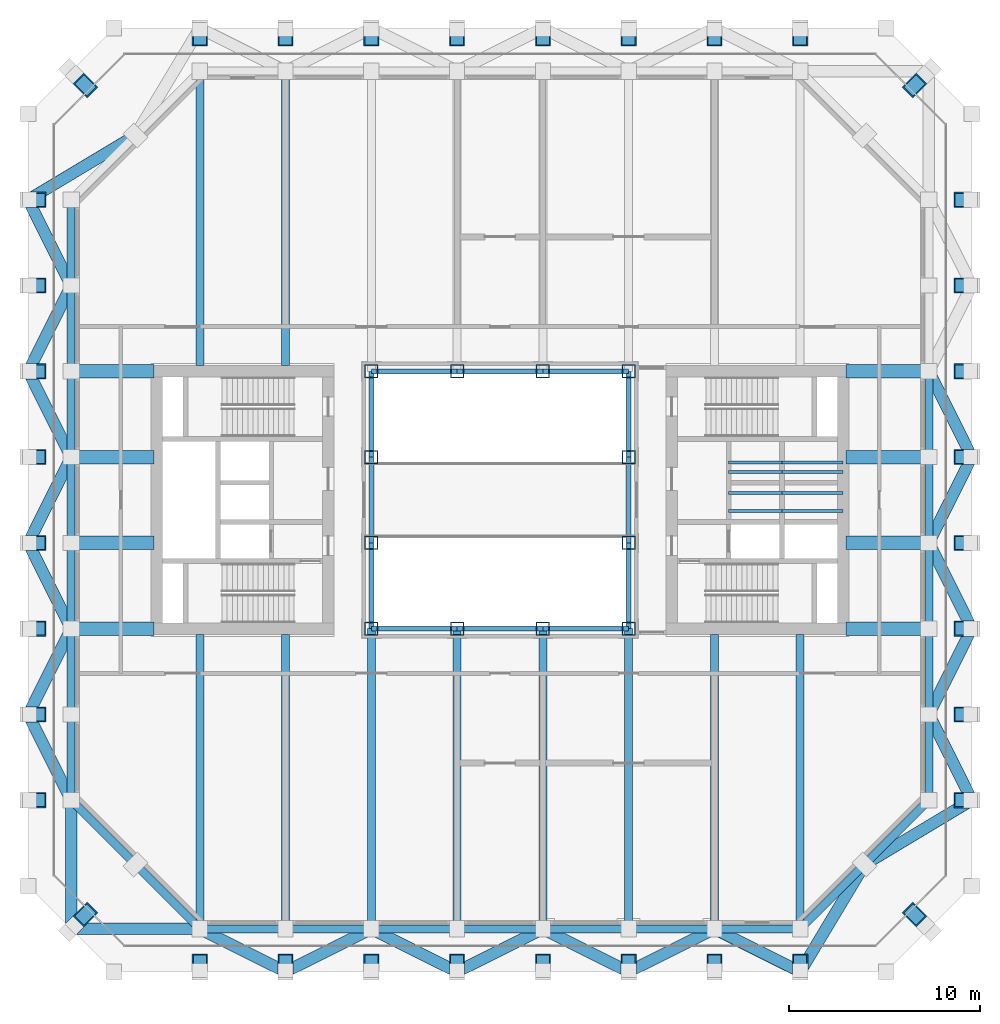
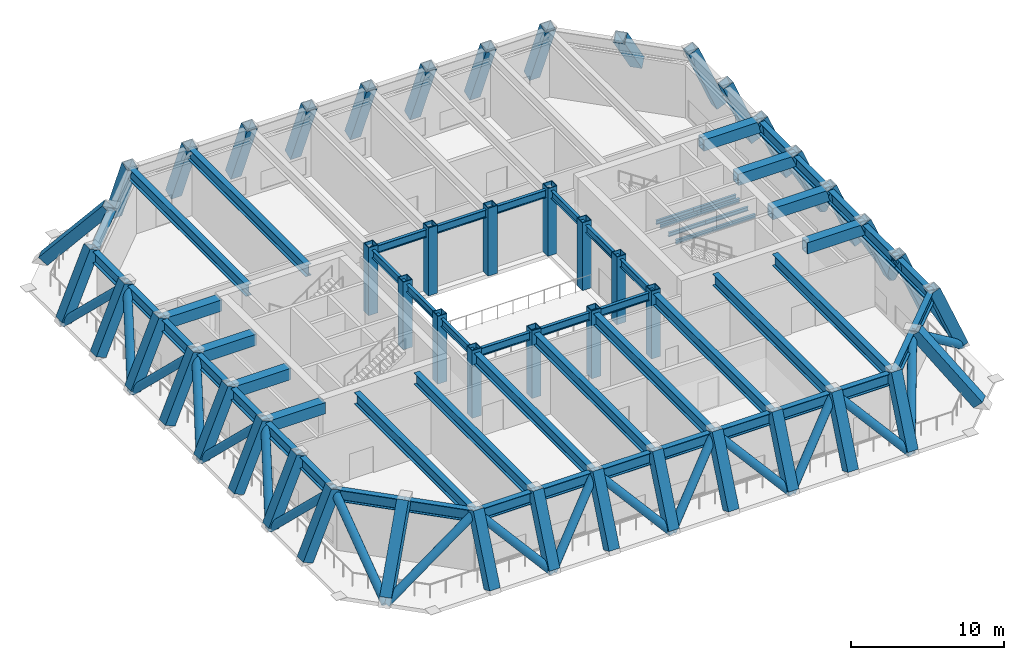
# One storey, part 1 of 9: 61 beams, 48 columns, 24 members.
"""IFC4 building model written with IfcOpenShell, lengths in metres."""

from ifc_helpers import new_model, si_unit, direction, frame, origin, origin_2d, place, context, subcontext, project, spatial, hollow_rectangle, hollow_circle, i_section, extrude, clip, halfspace, material, material_profile, profile_set, type_object, element, save


model = new_model("IFC4")

# Units and contexts
model_context = context("Model", 3, precision=1e-05, world=origin(), true_north=direction((0.0, 1.0)))
body_context = subcontext(model_context, "Body", "Model", "MODEL_VIEW")
ifc_project = project(units=[si_unit("LENGTHUNIT", "METRE"), si_unit("AREAUNIT", "SQUARE_METRE"), si_unit("VOLUMEUNIT", "CUBIC_METRE"), si_unit("PLANEANGLEUNIT", "RADIAN"), si_unit("MASSUNIT", "GRAM", prefix="KILO")], contexts=[model_context])

# Site, building, storey
site_placement = place(None, origin())
site = spatial("IfcSite", under=ifc_project, at=site_placement, CompositionType="ELEMENT")
building_placement = place(site_placement, origin())
building = spatial("IfcBuilding", under=site, at=building_placement, Name="Msasa Ring Tower", CompositionType="ELEMENT")
storey_placement = place(building_placement, frame((0.0, 0.0, 107.0)))
storey = spatial("IfcBuildingStorey", under=building, at=storey_placement, Name="L28", CompositionType="ELEMENT", Elevation=107.0)

# Columns
ifc_material_1 = material(Name="Steel S355", Category="steel")
ifc_material_profile_1 = material_profile(ifc_material_1, hollow_rectangle(XDim=0.699951171875, YDim=0.699951171875, WallThickness=0.050048828125, at=origin_2d()), Name="BOX 700x700x50")
ifc_profile_set_1 = profile_set([ifc_material_profile_1], Name="Steel S355")
column_type_1 = type_object("IfcColumnType", Name="IC3 BOX 700x700x50", PredefinedType="COLUMN", material=ifc_profile_set_1)
for number, where, z_axis, x_axis, name in (
    (1, (-6.75, -6.75, 0.0), (0.0, 0.0, 1.0), (1.0, 0.0, 0.0), "Inner ring column IR-6.75-6.75 L28"),
    (2, (-6.75, -2.25, 0.0), (0.0, 0.0, 1.0), (1.0, 0.0, 0.0), "Inner ring column IR-6.75-2.25 L28"),
    (3, (-6.75, 2.25, 0.0), (0.0, 0.0, 1.0), (1.0, 0.0, 0.0), "Inner ring column IR-6.75+2.25 L28"),
    (4, (-6.75, 6.75, 0.0), (0.0, 0.0, 1.0), (1.0, 0.0, 0.0), "Inner ring column IR-6.75+6.75 L28"),
    (5, (-2.25, -6.75, 0.0), (0.0, 0.0, 1.0), (1.0, 0.0, 0.0), "Inner ring column IR-2.25-6.75 L28"),
    (6, (-2.25, 6.75, 0.0), (0.0, 0.0, 1.0), (1.0, 0.0, 0.0), "Inner ring column IR-2.25+6.75 L28"),
    (7, (2.25, -6.75, 0.0), (0.0, 0.0, 1.0), (1.0, 0.0, 0.0), "Inner ring column IR+2.25-6.75 L28"),
    (8, (2.25, 6.75, 0.0), (0.0, 0.0, 1.0), (1.0, 0.0, 0.0), "Inner ring column IR+2.25+6.75 L28"),
    (9, (6.75, -6.75, 0.0), (0.0, 0.0, 1.0), (1.0, 0.0, 0.0), "Inner ring column IR+6.75-6.75 L28"),
    (10, (6.75, -2.25, 0.0), (0.0, 0.0, 1.0), (1.0, 0.0, 0.0), "Inner ring column IR+6.75-2.25 L28"),
    (11, (6.75, 2.25, 0.0), (0.0, 0.0, 1.0), (1.0, 0.0, 0.0), "Inner ring column IR+6.75+2.25 L28"),
    (12, (6.75, 6.75, 0.0), (0.0, 0.0, 1.0), (1.0, 0.0, 0.0), "Inner ring column IR+6.75+6.75 L28"),
):
    element("IfcColumn", number, at=place(storey_placement, frame(where, z_axis=z_axis, x_axis=x_axis)), inside=storey, type_object=column_type_1, Name=name, PredefinedType="COLUMN", context=body_context, shape_type="SweptSolid", body=[
        extrude(hollow_rectangle(XDim=0.699951171875, YDim=0.699951171875, WallThickness=0.050048828125, at=origin_2d()), origin(), (0.0, 0.0, 1.0), 5.39990234375),
    ])
ifc_material_2 = material(Name="Steel S355", Category="steel")
ifc_material_profile_2 = material_profile(ifc_material_2, hollow_rectangle(XDim=0.800048828125, YDim=0.800048828125, WallThickness=0.06005859375, at=origin_2d()), Name="BOX 800x800x60")
ifc_profile_set_2 = profile_set([ifc_material_profile_2], Name="Steel S355")
column_type_2 = type_object("IfcColumnType", Name="RC1 BOX 800x800x60", PredefinedType="USERDEFINED", material=ifc_profile_set_2)
for number, where, z_axis, x_axis, name in (
    (13, (-15.75, -24.75, 0.0), (0.0, 0.384621311341, 0.923074453586), (0.0, -0.92309001601, 0.384583960069), "Raked tube column S-15.75 L28"),
    (14, (-15.75, 24.75, 0.0), (0.0, -0.384621311341, 0.923074453586), (0.0, 0.92309001601, 0.384583960069), "Raked tube column N-15.75 L28"),
    (15, (24.75, -15.75, 0.0), (-0.384621311341, 0.0, 0.923074453586), (0.0, -1.0, 0.0), "Raked tube column E-15.75 L28"),
    (16, (-24.75, -15.75, 0.0), (0.384621311341, 0.0, 0.923074453586), (0.0, 1.0, 0.0), "Raked tube column W-15.75 L28"),
    (17, (-11.25, -24.75, 0.0), (0.0, 0.384621311341, 0.923074453586), (0.0, -0.92309001601, 0.384583960069), "Raked tube column S-11.25 L28"),
    (18, (-11.25, 24.75, 0.0), (0.0, -0.384621311341, 0.923074453586), (0.0, 0.92309001601, 0.384583960069), "Raked tube column N-11.25 L28"),
    (19, (24.75, -11.25, 0.0), (-0.384621311341, 0.0, 0.923074453586), (0.0, -1.0, 0.0), "Raked tube column E-11.25 L28"),
    (20, (-24.75, -11.25, 0.0), (0.384621311341, 0.0, 0.923074453586), (0.0, 1.0, 0.0), "Raked tube column W-11.25 L28"),
    (21, (-6.75, -24.75, 0.0), (0.0, 0.384621311341, 0.923074453586), (0.0, -0.92309001601, 0.384583960069), "Raked tube column S-6.75 L28"),
    (22, (-6.75, 24.75, 0.0), (0.0, -0.384621311341, 0.923074453586), (0.0, 0.92309001601, 0.384583960069), "Raked tube column N-6.75 L28"),
    (23, (24.75, -6.75, 0.0), (-0.384621311341, 0.0, 0.923074453586), (0.0, -1.0, 0.0), "Raked tube column E-6.75 L28"),
    (24, (-24.75, -6.75, 0.0), (0.384621311341, 0.0, 0.923074453586), (0.0, 1.0, 0.0), "Raked tube column W-6.75 L28"),
    (25, (-2.25, -24.75, 0.0), (0.0, 0.384621311341, 0.923074453586), (0.0, -0.92309001601, 0.384583960069), "Raked tube column S-2.25 L28"),
    (26, (-2.25, 24.75, 0.0), (0.0, -0.384621311341, 0.923074453586), (0.0, 0.92309001601, 0.384583960069), "Raked tube column N-2.25 L28"),
    (27, (24.75, -2.25, 0.0), (-0.384621311341, 0.0, 0.923074453586), (0.0, -1.0, 0.0), "Raked tube column E-2.25 L28"),
    (28, (-24.75, -2.25, 0.0), (0.384621311341, 0.0, 0.923074453586), (0.0, 1.0, 0.0), "Raked tube column W-2.25 L28"),
    (29, (2.25, -24.75, 0.0), (0.0, 0.384621311341, 0.923074453586), (0.0, -0.92309001601, 0.384583960069), "Raked tube column S+2.25 L28"),
    (30, (2.25, 24.75, 0.0), (0.0, -0.384621311341, 0.923074453586), (0.0, 0.92309001601, 0.384583960069), "Raked tube column N+2.25 L28"),
    (31, (24.75, 2.25, 0.0), (-0.384621311341, 0.0, 0.923074453586), (0.0, -1.0, 0.0), "Raked tube column E+2.25 L28"),
    (32, (-24.75, 2.25, 0.0), (0.384621311341, 0.0, 0.923074453586), (0.0, 1.0, 0.0), "Raked tube column W+2.25 L28"),
    (33, (6.75, -24.75, 0.0), (0.0, 0.384621311341, 0.923074453586), (0.0, -0.92309001601, 0.384583960069), "Raked tube column S+6.75 L28"),
    (34, (6.75, 24.75, 0.0), (0.0, -0.384621311341, 0.923074453586), (0.0, 0.92309001601, 0.384583960069), "Raked tube column N+6.75 L28"),
    (35, (24.75, 6.75, 0.0), (-0.384621311341, 0.0, 0.923074453586), (0.0, -1.0, 0.0), "Raked tube column E+6.75 L28"),
    (36, (-24.75, 6.75, 0.0), (0.384621311341, 0.0, 0.923074453586), (0.0, 1.0, 0.0), "Raked tube column W+6.75 L28"),
    (37, (11.25, -24.75, 0.0), (0.0, 0.384621311341, 0.923074453586), (0.0, -0.92309001601, 0.384583960069), "Raked tube column S+11.25 L28"),
    (38, (11.25, 24.75, 0.0), (0.0, -0.384621311341, 0.923074453586), (0.0, 0.92309001601, 0.384583960069), "Raked tube column N+11.25 L28"),
    (39, (24.75, 11.25, 0.0), (-0.384621311341, 0.0, 0.923074453586), (0.0, -1.0, 0.0), "Raked tube column E+11.25 L28"),
    (40, (-24.75, 11.25, 0.0), (0.384621311341, 0.0, 0.923074453586), (0.0, 1.0, 0.0), "Raked tube column W+11.25 L28"),
    (41, (15.75, -24.75, 0.0), (0.0, 0.384621311341, 0.923074453586), (0.0, -0.92309001601, 0.384583960069), "Raked tube column S+15.75 L28"),
    (42, (15.75, 24.75, 0.0), (0.0, -0.384621311341, 0.923074453586), (0.0, 0.92309001601, 0.384583960069), "Raked tube column N+15.75 L28"),
    (43, (24.75, 15.75, 0.0), (-0.384621311341, 0.0, 0.923074453586), (0.0, -1.0, 0.0), "Raked tube column E+15.75 L28"),
    (44, (-24.75, 15.75, 0.0), (0.384621311341, 0.0, 0.923074453586), (0.0, 1.0, 0.0), "Raked tube column W+15.75 L28"),
):
    element("IfcColumn", number, at=place(storey_placement, frame(where, z_axis=z_axis, x_axis=x_axis)), inside=storey, type_object=column_type_2, Name=name, ObjectType="RAKED COLUMN", PredefinedType="USERDEFINED", context=body_context, shape_type="Clipping", body=[
        clip(clip(extrude(hollow_rectangle(XDim=0.800048828125, YDim=0.800048828125, WallThickness=0.06005859375, at=origin_2d()), origin(), (0.0, 0.0, 1.0), 5.849853515625), halfspace(frame((0.0, 0.0, 0.166748046875), z_axis=(0.0, 0.0, 1.0)), True)), halfspace(frame((0.0, 0.0, 5.683349609375), z_axis=(0.0, 0.0, -1.0)), True)),
    ])
for number, where, z_axis, x_axis, name in (
    (45, (22.5, -22.5, 0.0), (-0.468297660256, 0.468297660256, 0.74926270613), (-0.707106781187, -0.707106781187, 0.0), "Raked tube column SE L28"),
    (46, (22.5, 22.5, 0.0), (-0.468297660256, -0.468297660256, 0.74926270613), (0.707106781187, -0.707106781187, 0.0), "Raked tube column NE L28"),
    (47, (-22.5, 22.5, 0.0), (0.468297660256, -0.468297660256, 0.74926270613), (0.707106781187, 0.707106781187, 0.0), "Raked tube column NW L28"),
    (48, (-22.5, -22.5, 0.0), (0.468297660256, 0.468297660256, 0.74926270613), (-0.707106781187, 0.707106781187, 0.0), "Raked tube column SW L28"),
):
    element("IfcColumn", number, at=place(storey_placement, frame(where, z_axis=z_axis, x_axis=x_axis)), inside=storey, type_object=column_type_2, Name=name, ObjectType="RAKED COLUMN", PredefinedType="USERDEFINED", context=body_context, shape_type="Clipping", body=[
        clip(clip(extrude(hollow_rectangle(XDim=0.800048828125, YDim=0.800048828125, WallThickness=0.06005859375, at=origin_2d()), origin(), (0.0, 0.0, 1.0), 7.20703125), halfspace(frame((0.0, 0.0, 0.353515625), z_axis=(0.0, 0.0, 1.0)), True)), halfspace(frame((0.0, 0.0, 6.853515625), z_axis=(0.0, 0.0, -1.0)), True)),
    ])

# Members
ifc_material_3 = material(Name="Steel S355", Category="steel")
ifc_material_profile_3 = material_profile(ifc_material_3, hollow_circle(Radius=0.304931640625, WallThickness=0.050048828125, at=origin_2d()), Name="CHS 610x50")
ifc_profile_set_3 = profile_set([ifc_material_profile_3], Name="Steel S355")
member_type = type_object("IfcMemberType", Name="BR1 CHS 610x50", PredefinedType="BRACE", material=ifc_profile_set_3)
for number, where, z_axis, x_axis, name in (
    (49, (-24.75, -2.25, 0.0), (0.31912262164, -0.638245243281, 0.70057388032), (0.894427191, 0.4472135955, 0.0), "Belt brace W-2.25 L28"),
    (50, (-24.75, -11.25, 0.0), (0.31912262164, 0.638245243281, 0.70057388032), (-0.894427191, 0.4472135955, 0.0), "Belt brace W-6.75 L28"),
    (51, (-24.75, -11.25, 0.0), (0.31912262164, -0.638245243281, 0.70057388032), (0.894427191, 0.4472135955, 0.0), "Belt brace W-11.25 L28"),
):
    element("IfcMember", number, at=place(storey_placement, frame(where, z_axis=z_axis, x_axis=x_axis)), inside=storey, type_object=member_type, Name=name, PredefinedType="BRACE", context=body_context, shape_type="SweptSolid", body=[
        extrude(hollow_circle(Radius=0.304931640625, WallThickness=0.050048828125, at=origin_2d()), origin(), (0.0, 0.0, 1.0), 7.050537109375),
    ])
for number, where, z_axis, x_axis, name in (
    (52, (-22.5, -22.5, 0.0), (0.0, 0.807005897484, 0.590543378107), (-1.0, 0.0, 0.0), "Belt brace W-15.75 L28"),
    (53, (-22.5, -22.5, 0.0), (0.807005897484, 0.0, 0.590543378107), (0.0, 1.0, 0.0), "Belt brace SW L28"),
):
    element("IfcMember", number, at=place(storey_placement, frame(where, z_axis=z_axis, x_axis=x_axis)), inside=storey, type_object=member_type, Name=name, PredefinedType="BRACE", context=body_context, shape_type="SweptSolid", body=[
        extrude(hollow_circle(Radius=0.304931640625, WallThickness=0.050048828125, at=origin_2d()), origin(), (0.0, 0.0, 1.0), 8.3642578125),
    ])
for number, where, z_axis, x_axis, name in (
    (54, (-11.25, -24.75, 0.0), (-0.638245243281, 0.31912262164, 0.70057388032), (-0.4472135955, -0.894427191, 0.0), "Belt brace S-15.75 L28"),
    (55, (-11.25, -24.75, 0.0), (0.638245243281, 0.31912262164, 0.70057388032), (-0.4472135955, 0.894427191, 0.0), "Belt brace S-11.25 L28"),
    (56, (-2.25, -24.75, 0.0), (-0.638245243281, 0.31912262164, 0.70057388032), (-0.4472135955, -0.894427191, 0.0), "Belt brace S-6.75 L28"),
    (57, (-2.25, -24.75, 0.0), (0.638245243281, 0.31912262164, 0.70057388032), (-0.4472135955, 0.894427191, 0.0), "Belt brace S-2.25 L28"),
    (58, (6.75, -24.75, 0.0), (-0.638245243281, 0.31912262164, 0.70057388032), (-0.4472135955, -0.894427191, 0.0), "Belt brace S+2.25 L28"),
    (59, (6.75, -24.75, 0.0), (0.638245243281, 0.31912262164, 0.70057388032), (-0.4472135955, 0.894427191, 0.0), "Belt brace S+6.75 L28"),
    (60, (15.75, -24.75, 0.0), (-0.638245243281, 0.31912262164, 0.70057388032), (-0.4472135955, -0.894427191, 0.0), "Belt brace S+11.25 L28"),
):
    element("IfcMember", number, at=place(storey_placement, frame(where, z_axis=z_axis, x_axis=x_axis)), inside=storey, type_object=member_type, Name=name, PredefinedType="BRACE", context=body_context, shape_type="SweptSolid", body=[
        extrude(hollow_circle(Radius=0.304931640625, WallThickness=0.050048828125, at=origin_2d()), origin(), (0.0, 0.0, 1.0), 7.050537109375),
    ])
for number, where, z_axis, x_axis, name in (
    (61, (15.75, -24.75, 0.0), (0.411006771984, 0.685011286641, 0.601525536081), (-0.857492925713, 0.514495755428, 0.0), "Belt brace S+15.75 L28"),
    (62, (24.75, -15.75, 0.0), (-0.685011286641, -0.411006771984, 0.601525536081), (0.514495755428, -0.857492925713, 0.0), "Belt brace SE L28"),
):
    element("IfcMember", number, at=place(storey_placement, frame(where, z_axis=z_axis, x_axis=x_axis)), inside=storey, type_object=member_type, Name=name, PredefinedType="BRACE", context=body_context, shape_type="SweptSolid", body=[
        extrude(hollow_circle(Radius=0.304931640625, WallThickness=0.050048828125, at=origin_2d()), origin(), (0.0, 0.0, 1.0), 8.21142578125),
    ])
for number, where, z_axis, x_axis, name in (
    (63, (24.75, -15.75, 0.0), (-0.31912262164, 0.638245243281, 0.70057388032), (-0.894427191, -0.4472135955, 0.0), "Belt brace E-15.75 L28"),
    (64, (24.75, -6.75, 0.0), (-0.31912262164, -0.638245243281, 0.70057388032), (0.894427191, -0.4472135955, 0.0), "Belt brace E-11.25 L28"),
    (65, (24.75, -6.75, 0.0), (-0.31912262164, 0.638245243281, 0.70057388032), (-0.894427191, -0.4472135955, 0.0), "Belt brace E-6.75 L28"),
    (66, (24.75, 2.25, 0.0), (-0.31912262164, -0.638245243281, 0.70057388032), (0.894427191, -0.4472135955, 0.0), "Belt brace E-2.25 L28"),
    (67, (24.75, 2.25, 0.0), (-0.31912262164, 0.638245243281, 0.70057388032), (-0.894427191, -0.4472135955, 0.0), "Belt brace E+2.25 L28"),
):
    element("IfcMember", number, at=place(storey_placement, frame(where, z_axis=z_axis, x_axis=x_axis)), inside=storey, type_object=member_type, Name=name, PredefinedType="BRACE", context=body_context, shape_type="SweptSolid", body=[
        extrude(hollow_circle(Radius=0.304931640625, WallThickness=0.050048828125, at=origin_2d()), origin(), (0.0, 0.0, 1.0), 7.050537109375),
    ])
member_placement = place(storey_placement, frame((-24.75, 15.75, 0.0), z_axis=(0.685011286641, 0.411006771984, 0.601525536081), x_axis=(-0.514495755428, 0.857492925713, 0.0)))
element("IfcMember", 68, at=member_placement, inside=storey, type_object=member_type, Name="Belt brace NW L28", PredefinedType="BRACE", context=body_context, shape_type="SweptSolid", body=[
    extrude(hollow_circle(Radius=0.304931640625, WallThickness=0.050048828125, at=origin_2d()), origin(), (0.0, 0.0, 1.0), 8.21142578125),
])
for number, where, z_axis, x_axis, name in (
    (69, (-24.75, 15.75, 0.0), (0.31912262164, -0.638245243281, 0.70057388032), (0.894427191, 0.4472135955, 0.0), "Belt brace W+15.75 L28"),
    (70, (-24.75, 6.75, 0.0), (0.31912262164, 0.638245243281, 0.70057388032), (-0.894427191, 0.4472135955, 0.0), "Belt brace W+11.25 L28"),
    (71, (-24.75, 6.75, 0.0), (0.31912262164, -0.638245243281, 0.70057388032), (0.894427191, 0.4472135955, 0.0), "Belt brace W+6.75 L28"),
    (72, (-24.75, -2.25, 0.0), (0.31912262164, 0.638245243281, 0.70057388032), (-0.894427191, 0.4472135955, 0.0), "Belt brace W+2.25 L28"),
):
    element("IfcMember", number, at=place(storey_placement, frame(where, z_axis=z_axis, x_axis=x_axis)), inside=storey, type_object=member_type, Name=name, PredefinedType="BRACE", context=body_context, shape_type="SweptSolid", body=[
        extrude(hollow_circle(Radius=0.304931640625, WallThickness=0.050048828125, at=origin_2d()), origin(), (0.0, 0.0, 1.0), 7.050537109375),
    ])

# Beams
ifc_material_4 = material(Name="Steel S355", Category="steel")
ifc_material_profile_4 = material_profile(ifc_material_4, i_section(OverallWidth=0.42041015625, OverallDepth=0.9208984375, WebThickness=0.021484375, FlangeThickness=0.03662109375, FilletRadius=0.024169921875, at=origin_2d()), Name="UB 914x419x388")
ifc_profile_set_4 = profile_set([ifc_material_profile_4], Name="Steel S355")
beam_type_1 = type_object("IfcBeamType", Name="FB2 UB 914x419x388", PredefinedType="BEAM", material=ifc_profile_set_4)
for number, where, z_axis, x_axis, name in (
    (73, (-15.75, 22.5, 4.689453125), (0.0, -1.0, 0.0), (1.0, 0.0, 0.0), "Floor beam N-15.75 under L29"),
    (74, (-11.25, 22.5, 4.689453125), (0.0, -1.0, 0.0), (1.0, 0.0, 0.0), "Floor beam N-11.25 under L29"),
    (75, (-15.75, -22.5, 4.689453125), (0.0, 1.0, 0.0), (-1.0, 0.0, 0.0), "Floor beam S-15.75 under L29"),
    (76, (-11.25, -22.5, 4.689453125), (0.0, 1.0, 0.0), (-1.0, 0.0, 0.0), "Floor beam S-11.25 under L29"),
):
    element("IfcBeam", number, at=place(storey_placement, frame(where, z_axis=z_axis, x_axis=x_axis)), inside=storey, type_object=beam_type_1, Name=name, PredefinedType="BEAM", context=body_context, shape_type="SweptSolid", body=[
        extrude(i_section(OverallWidth=0.42041015625, OverallDepth=0.9208984375, WebThickness=0.021484375, FlangeThickness=0.03662109375, FilletRadius=0.024169921875, at=origin_2d()), origin(), (0.0, 0.0, 1.0), 15.449951171875),
    ])
for number, where, z_axis, x_axis, name in (
    (77, (-6.75, -22.5, 4.689453125), (0.0, 1.0, 0.0), (-1.0, 0.0, 0.0), "Floor beam S-6.75 under L29"),
    (78, (-2.25, -22.5, 4.689453125), (0.0, 1.0, 0.0), (-1.0, 0.0, 0.0), "Floor beam S-2.25 under L29"),
    (79, (2.25, -22.5, 4.689453125), (0.0, 1.0, 0.0), (-1.0, 0.0, 0.0), "Floor beam S+2.25 under L29"),
    (80, (6.75, -22.5, 4.689453125), (0.0, 1.0, 0.0), (-1.0, 0.0, 0.0), "Floor beam S+6.75 under L29"),
):
    element("IfcBeam", number, at=place(storey_placement, frame(where, z_axis=z_axis, x_axis=x_axis)), inside=storey, type_object=beam_type_1, Name=name, PredefinedType="BEAM", context=body_context, shape_type="SweptSolid", body=[
        extrude(i_section(OverallWidth=0.42041015625, OverallDepth=0.9208984375, WebThickness=0.021484375, FlangeThickness=0.03662109375, FilletRadius=0.024169921875, at=origin_2d()), origin(), (0.0, 0.0, 1.0), 15.75),
    ])
for number, where, z_axis, x_axis, name in (
    (81, (11.25, -22.5, 4.689453125), (0.0, 1.0, 0.0), (-1.0, 0.0, 0.0), "Floor beam S+11.25 under L29"),
    (82, (15.75, -22.5, 4.689453125), (0.0, 1.0, 0.0), (-1.0, 0.0, 0.0), "Floor beam S+15.75 under L29"),
):
    element("IfcBeam", number, at=place(storey_placement, frame(where, z_axis=z_axis, x_axis=x_axis)), inside=storey, type_object=beam_type_1, Name=name, PredefinedType="BEAM", context=body_context, shape_type="SweptSolid", body=[
        extrude(i_section(OverallWidth=0.42041015625, OverallDepth=0.9208984375, WebThickness=0.021484375, FlangeThickness=0.03662109375, FilletRadius=0.024169921875, at=origin_2d()), origin(), (0.0, 0.0, 1.0), 15.449951171875),
    ])
ifc_material_5 = material(Name="Steel S355", Category="steel")
ifc_material_profile_5 = material_profile(ifc_material_5, hollow_rectangle(XDim=0.699951171875, YDim=0.89990234375, WallThickness=0.080078125, at=origin_2d()), Name="BOX 900x700x80")
ifc_profile_set_5 = profile_set([ifc_material_profile_5], Name="Steel S355")
beam_type_2 = type_object("IfcBeamType", Name="FB4 BOX 900x700x80", PredefinedType="BEAM", material=ifc_profile_set_5)
for number, where, z_axis, x_axis, name in (
    (83, (22.5, -2.25, 4.699951171875), (-1.0, 0.0, 0.0), (0.0, -1.0, 0.0), "Floor beam E -2.25 under L29"),
    (84, (22.5, 2.25, 4.699951171875), (-1.0, 0.0, 0.0), (0.0, -1.0, 0.0), "Floor beam E +2.25 under L29"),
    (85, (-22.5, -2.25, 4.699951171875), (1.0, 0.0, 0.0), (0.0, 1.0, 0.0), "Floor beam W -2.25 under L29"),
    (86, (-22.5, 2.25, 4.699951171875), (1.0, 0.0, 0.0), (0.0, 1.0, 0.0), "Floor beam W +2.25 under L29"),
):
    element("IfcBeam", number, at=place(storey_placement, frame(where, z_axis=z_axis, x_axis=x_axis)), inside=storey, type_object=beam_type_2, Name=name, PredefinedType="BEAM", context=body_context, shape_type="SweptSolid", body=[
        extrude(hollow_rectangle(XDim=0.699951171875, YDim=0.89990234375, WallThickness=0.080078125, at=origin_2d()), origin(), (0.0, 0.0, 1.0), 4.35009765625),
    ])
ifc_material_6 = material(Name="Steel S355", Category="steel")
ifc_material_profile_6 = material_profile(ifc_material_6, hollow_rectangle(XDim=0.699951171875, YDim=0.89990234375, WallThickness=0.080078125, at=origin_2d()), Name="BOX 900x700x80")
ifc_profile_set_6 = profile_set([ifc_material_profile_6], Name="Steel S355")
beam_type_3 = type_object("IfcBeamType", Name="GB2 BOX 900x700x80", PredefinedType="BEAM", material=ifc_profile_set_6)
for number, where, z_axis, x_axis, name in (
    (87, (18.14990234375, 6.75, 4.699951171875), (1.0, 0.0, 0.0), (0.0, 1.0, 0.0), "Girder E +6.75 under L29"),
    (88, (18.14990234375, -6.75, 4.699951171875), (1.0, 0.0, 0.0), (0.0, 1.0, 0.0), "Girder E -6.75 under L29"),
    (89, (-18.14990234375, 6.75, 4.699951171875), (-1.0, 0.0, 0.0), (0.0, -1.0, 0.0), "Girder W +6.75 under L29"),
    (90, (-18.14990234375, -6.75, 4.699951171875), (-1.0, 0.0, 0.0), (0.0, -1.0, 0.0), "Girder W -6.75 under L29"),
):
    element("IfcBeam", number, at=place(storey_placement, frame(where, z_axis=z_axis, x_axis=x_axis)), inside=storey, type_object=beam_type_3, Name=name, PredefinedType="BEAM", context=body_context, shape_type="SweptSolid", body=[
        extrude(hollow_rectangle(XDim=0.699951171875, YDim=0.89990234375, WallThickness=0.080078125, at=origin_2d()), origin(), (0.0, 0.0, 1.0), 4.35009765625),
    ])
ifc_material_7 = material(Name="Steel S355", Category="steel")
ifc_material_profile_7 = material_profile(ifc_material_7, i_section(OverallWidth=0.1669921875, OverallDepth=0.310302734375, WebThickness=0.0078125, FlangeThickness=0.013671875, FilletRadius=0.0087890625, at=origin_2d()), Name="UB 305x165x54")
ifc_profile_set_7 = profile_set([ifc_material_profile_7], Name="Steel S355")
beam_type_4 = type_object("IfcBeamType", Name="LB1 UB 305x165x54", PredefinedType="BEAM", material=ifc_profile_set_7)
for number, where, z_axis, x_axis, name in (
    (91, (12.0, -0.574951171875, 3.44482421875), (1.0, 0.0, 0.0), (0.0, 1.0, 0.0), "Lift overrun floor beam lift1 1 L28"),
    (92, (12.0, 0.375, 3.44482421875), (1.0, 0.0, 0.0), (0.0, 1.0, 0.0), "Lift overrun floor beam lift1 2 L28"),
    (93, (12.0, 1.47509765625, 3.44482421875), (1.0, 0.0, 0.0), (0.0, 1.0, 0.0), "Lift overrun floor beam lift2 1 L28"),
    (94, (12.0, 1.97509765625, 3.44482421875), (1.0, 0.0, 0.0), (0.0, 1.0, 0.0), "Lift overrun floor beam lift2 2 L28"),
):
    element("IfcBeam", number, at=place(storey_placement, frame(where, z_axis=z_axis, x_axis=x_axis)), inside=storey, type_object=beam_type_4, Name=name, PredefinedType="BEAM", context=body_context, shape_type="SweptSolid", body=[
        extrude(i_section(OverallWidth=0.1669921875, OverallDepth=0.310302734375, WebThickness=0.0078125, FlangeThickness=0.013671875, FilletRadius=0.0087890625, at=origin_2d()), origin(), (0.0, 0.0, 1.0), 2.800048828125),
    ])
for number, where, z_axis, x_axis, name in (
    (95, (14.800048828125, -0.574951171875, 3.44482421875), (1.0, 0.0, 0.0), (0.0, 1.0, 0.0), "Lift pit floor beam hlift1 1 L28"),
    (96, (14.800048828125, 0.375, 3.44482421875), (1.0, 0.0, 0.0), (0.0, 1.0, 0.0), "Lift pit floor beam hlift1 2 L28"),
    (97, (14.800048828125, 1.47509765625, 3.44482421875), (1.0, 0.0, 0.0), (0.0, 1.0, 0.0), "Lift pit floor beam hlift2 1 L28"),
    (98, (14.800048828125, 1.97509765625, 3.44482421875), (1.0, 0.0, 0.0), (0.0, 1.0, 0.0), "Lift pit floor beam hlift2 2 L28"),
):
    element("IfcBeam", number, at=place(storey_placement, frame(where, z_axis=z_axis, x_axis=x_axis)), inside=storey, type_object=beam_type_4, Name=name, PredefinedType="BEAM", context=body_context, shape_type="SweptSolid", body=[
        extrude(i_section(OverallWidth=0.1669921875, OverallDepth=0.310302734375, WebThickness=0.0078125, FlangeThickness=0.013671875, FilletRadius=0.0087890625, at=origin_2d()), origin(), (0.0, 0.0, 1.0), 3.199951171875),
    ])
ifc_material_8 = material(Name="Steel S355", Category="steel")
ifc_material_profile_8 = material_profile(ifc_material_8, i_section(OverallWidth=0.230224609375, OverallDepth=0.6171875, WebThickness=0.01318359375, FlangeThickness=0.022216796875, FilletRadius=0.0126953125, at=origin_2d()), Name="UB 610x229x140")
ifc_profile_set_8 = profile_set([ifc_material_profile_8], Name="Steel S355")
beam_type_5 = type_object("IfcBeamType", Name="RB1 UB 610x229x140", PredefinedType="BEAM", material=ifc_profile_set_8)
for number, where, z_axis, x_axis, name in (
    (99, (-6.75, -2.25, 4.84130859375), (0.0, -1.0, 0.0), (1.0, 0.0, 0.0), "Inner ring beam IR-6.75-2.25 under L29"),
    (100, (-6.75, -6.75, 4.84130859375), (1.0, 0.0, 0.0), (0.0, 1.0, 0.0), "Inner ring beam IR-6.75-6.75 under L29"),
    (101, (-2.25, -6.75, 4.84130859375), (1.0, 0.0, 0.0), (0.0, 1.0, 0.0), "Inner ring beam IR-2.25-6.75 under L29"),
    (102, (2.25, -6.75, 4.84130859375), (1.0, 0.0, 0.0), (0.0, 1.0, 0.0), "Inner ring beam IR+2.25-6.75 under L29"),
    (103, (6.75, -6.75, 4.84130859375), (0.0, 1.0, 0.0), (-1.0, 0.0, 0.0), "Inner ring beam IR+6.75-6.75 under L29"),
    (104, (6.75, -2.25, 4.84130859375), (0.0, 1.0, 0.0), (-1.0, 0.0, 0.0), "Inner ring beam IR+6.75-2.25 under L29"),
    (105, (6.75, 2.25, 4.84130859375), (0.0, 1.0, 0.0), (-1.0, 0.0, 0.0), "Inner ring beam IR+6.75+2.25 under L29"),
    (106, (6.75, 6.75, 4.84130859375), (-1.0, 0.0, 0.0), (0.0, -1.0, 0.0), "Inner ring beam IR+6.75+6.75 under L29"),
    (107, (2.25, 6.75, 4.84130859375), (-1.0, 0.0, 0.0), (0.0, -1.0, 0.0), "Inner ring beam IR+2.25+6.75 under L29"),
    (108, (-2.25, 6.75, 4.84130859375), (-1.0, 0.0, 0.0), (0.0, -1.0, 0.0), "Inner ring beam IR-2.25+6.75 under L29"),
    (109, (-6.75, 6.75, 4.84130859375), (0.0, -1.0, 0.0), (1.0, 0.0, 0.0), "Inner ring beam IR-6.75+6.75 under L29"),
    (110, (-6.75, 2.25, 4.84130859375), (0.0, -1.0, 0.0), (1.0, 0.0, 0.0), "Inner ring beam IR-6.75+2.25 under L29"),
):
    element("IfcBeam", number, at=place(storey_placement, frame(where, z_axis=z_axis, x_axis=x_axis)), inside=storey, type_object=beam_type_5, Name=name, PredefinedType="BEAM", context=body_context, shape_type="SweptSolid", body=[
        extrude(i_section(OverallWidth=0.230224609375, OverallDepth=0.6171875, WebThickness=0.01318359375, FlangeThickness=0.022216796875, FilletRadius=0.0126953125, at=origin_2d()), origin(), (0.0, 0.0, 1.0), 4.5),
    ])
ifc_material_9 = material(Name="Steel S355", Category="steel")
ifc_material_profile_9 = material_profile(ifc_material_9, i_section(OverallWidth=0.42041015625, OverallDepth=0.9208984375, WebThickness=0.021484375, FlangeThickness=0.03662109375, FilletRadius=0.024169921875, at=origin_2d()), Name="UB 914x419x388")
ifc_profile_set_9 = profile_set([ifc_material_profile_9], Name="Steel S355")
beam_type_6 = type_object("IfcBeamType", Name="SB1 UB 914x419x388", PredefinedType="SPANDREL", material=ifc_profile_set_9)
for number, where, z_axis, x_axis, name in (
    (111, (-22.5, -2.25, 4.689453125), (0.0, -1.0, 0.0), (1.0, 0.0, 0.0), "Spandrel W-2.25 to W-6.75 under L29"),
    (112, (-22.5, -6.75, 4.689453125), (0.0, -1.0, 0.0), (1.0, 0.0, 0.0), "Spandrel W-6.75 to W-11.25 under L29"),
    (113, (-22.5, -11.25, 4.689453125), (0.0, -1.0, 0.0), (1.0, 0.0, 0.0), "Spandrel W-11.25 to W-15.75 under L29"),
):
    element("IfcBeam", number, at=place(storey_placement, frame(where, z_axis=z_axis, x_axis=x_axis)), inside=storey, type_object=beam_type_6, Name=name, PredefinedType="SPANDREL", context=body_context, shape_type="SweptSolid", body=[
        extrude(i_section(OverallWidth=0.42041015625, OverallDepth=0.9208984375, WebThickness=0.021484375, FlangeThickness=0.03662109375, FilletRadius=0.024169921875, at=origin_2d()), origin(), (0.0, 0.0, 1.0), 4.5),
    ])
for number, where, z_axis, x_axis, name in (
    (114, (-22.5, -15.75, 4.689453125), (0.707106781187, -0.707106781187, 0.0), (0.707106781187, 0.707106781187, 0.0), "Spandrel W-15.75 to SW under L29"),
    (115, (-19.125, -19.125, 4.689453125), (0.707106781187, -0.707106781187, 0.0), (0.707106781187, 0.707106781187, 0.0), "Spandrel SW to S-15.75 under L29"),
):
    element("IfcBeam", number, at=place(storey_placement, frame(where, z_axis=z_axis, x_axis=x_axis)), inside=storey, type_object=beam_type_6, Name=name, PredefinedType="SPANDREL", context=body_context, shape_type="SweptSolid", body=[
        extrude(i_section(OverallWidth=0.42041015625, OverallDepth=0.9208984375, WebThickness=0.021484375, FlangeThickness=0.03662109375, FilletRadius=0.024169921875, at=origin_2d()), origin(), (0.0, 0.0, 1.0), 4.77294921875),
    ])
for number, where, z_axis, x_axis, name in (
    (116, (-15.75, -22.5, 4.689453125), (1.0, 0.0, 0.0), (0.0, 1.0, 0.0), "Spandrel S-15.75 to S-11.25 under L29"),
    (117, (-11.25, -22.5, 4.689453125), (1.0, 0.0, 0.0), (0.0, 1.0, 0.0), "Spandrel S-11.25 to S-6.75 under L29"),
    (118, (-6.75, -22.5, 4.689453125), (1.0, 0.0, 0.0), (0.0, 1.0, 0.0), "Spandrel S-6.75 to S-2.25 under L29"),
    (119, (-2.25, -22.5, 4.689453125), (1.0, 0.0, 0.0), (0.0, 1.0, 0.0), "Spandrel S-2.25 to S+2.25 under L29"),
    (120, (2.25, -22.5, 4.689453125), (1.0, 0.0, 0.0), (0.0, 1.0, 0.0), "Spandrel S+2.25 to S+6.75 under L29"),
    (121, (6.75, -22.5, 4.689453125), (1.0, 0.0, 0.0), (0.0, 1.0, 0.0), "Spandrel S+6.75 to S+11.25 under L29"),
    (122, (11.25, -22.5, 4.689453125), (1.0, 0.0, 0.0), (0.0, 1.0, 0.0), "Spandrel S+11.25 to S+15.75 under L29"),
):
    element("IfcBeam", number, at=place(storey_placement, frame(where, z_axis=z_axis, x_axis=x_axis)), inside=storey, type_object=beam_type_6, Name=name, PredefinedType="SPANDREL", context=body_context, shape_type="SweptSolid", body=[
        extrude(i_section(OverallWidth=0.42041015625, OverallDepth=0.9208984375, WebThickness=0.021484375, FlangeThickness=0.03662109375, FilletRadius=0.024169921875, at=origin_2d()), origin(), (0.0, 0.0, 1.0), 4.5),
    ])
for number, where, z_axis, x_axis, name in (
    (123, (15.75, -22.5, 4.689453125), (0.707106781187, 0.707106781187, 0.0), (-0.707106781187, 0.707106781187, 0.0), "Spandrel S+15.75 to SE under L29"),
    (124, (19.125, -19.125, 4.689453125), (0.707106781187, 0.707106781187, 0.0), (-0.707106781187, 0.707106781187, 0.0), "Spandrel SE to E-15.75 under L29"),
):
    element("IfcBeam", number, at=place(storey_placement, frame(where, z_axis=z_axis, x_axis=x_axis)), inside=storey, type_object=beam_type_6, Name=name, PredefinedType="SPANDREL", context=body_context, shape_type="SweptSolid", body=[
        extrude(i_section(OverallWidth=0.42041015625, OverallDepth=0.9208984375, WebThickness=0.021484375, FlangeThickness=0.03662109375, FilletRadius=0.024169921875, at=origin_2d()), origin(), (0.0, 0.0, 1.0), 4.77294921875),
    ])
for number, where, z_axis, x_axis, name in (
    (125, (22.5, -15.75, 4.689453125), (0.0, 1.0, 0.0), (-1.0, 0.0, 0.0), "Spandrel E-15.75 to E-11.25 under L29"),
    (126, (22.5, -11.25, 4.689453125), (0.0, 1.0, 0.0), (-1.0, 0.0, 0.0), "Spandrel E-11.25 to E-6.75 under L29"),
    (127, (22.5, -6.75, 4.689453125), (0.0, 1.0, 0.0), (-1.0, 0.0, 0.0), "Spandrel E-6.75 to E-2.25 under L29"),
    (128, (22.5, -2.25, 4.689453125), (0.0, 1.0, 0.0), (-1.0, 0.0, 0.0), "Spandrel E-2.25 to E+2.25 under L29"),
    (129, (22.5, 2.25, 4.689453125), (0.0, 1.0, 0.0), (-1.0, 0.0, 0.0), "Spandrel E+2.25 to E+6.75 under L29"),
    (130, (-22.5, 15.75, 4.689453125), (0.0, -1.0, 0.0), (1.0, 0.0, 0.0), "Spandrel W+15.75 to W+11.25 under L29"),
    (131, (-22.5, 11.25, 4.689453125), (0.0, -1.0, 0.0), (1.0, 0.0, 0.0), "Spandrel W+11.25 to W+6.75 under L29"),
    (132, (-22.5, 6.75, 4.689453125), (0.0, -1.0, 0.0), (1.0, 0.0, 0.0), "Spandrel W+6.75 to W+2.25 under L29"),
    (133, (-22.5, 2.25, 4.689453125), (0.0, -1.0, 0.0), (1.0, 0.0, 0.0), "Spandrel W+2.25 to W-2.25 under L29"),
):
    element("IfcBeam", number, at=place(storey_placement, frame(where, z_axis=z_axis, x_axis=x_axis)), inside=storey, type_object=beam_type_6, Name=name, PredefinedType="SPANDREL", context=body_context, shape_type="SweptSolid", body=[
        extrude(i_section(OverallWidth=0.42041015625, OverallDepth=0.9208984375, WebThickness=0.021484375, FlangeThickness=0.03662109375, FilletRadius=0.024169921875, at=origin_2d()), origin(), (0.0, 0.0, 1.0), 4.5),
    ])

save(model, "model.ifc")
